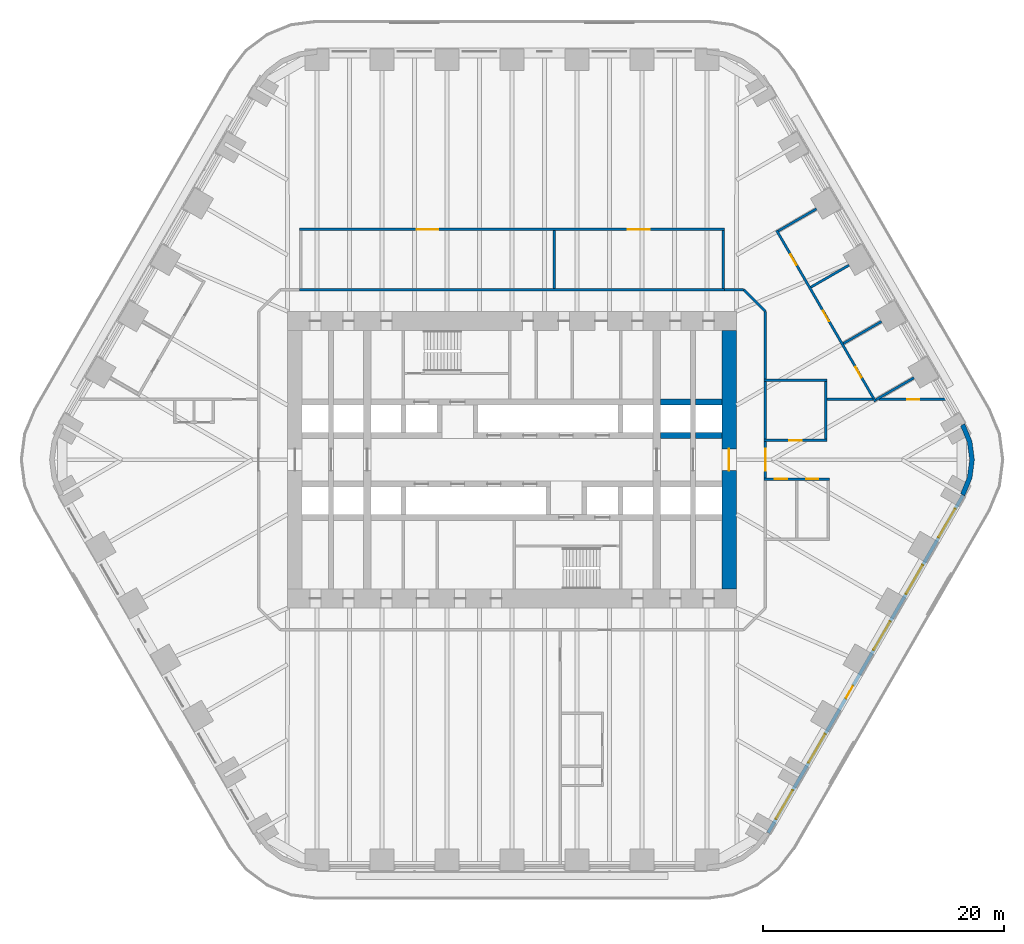
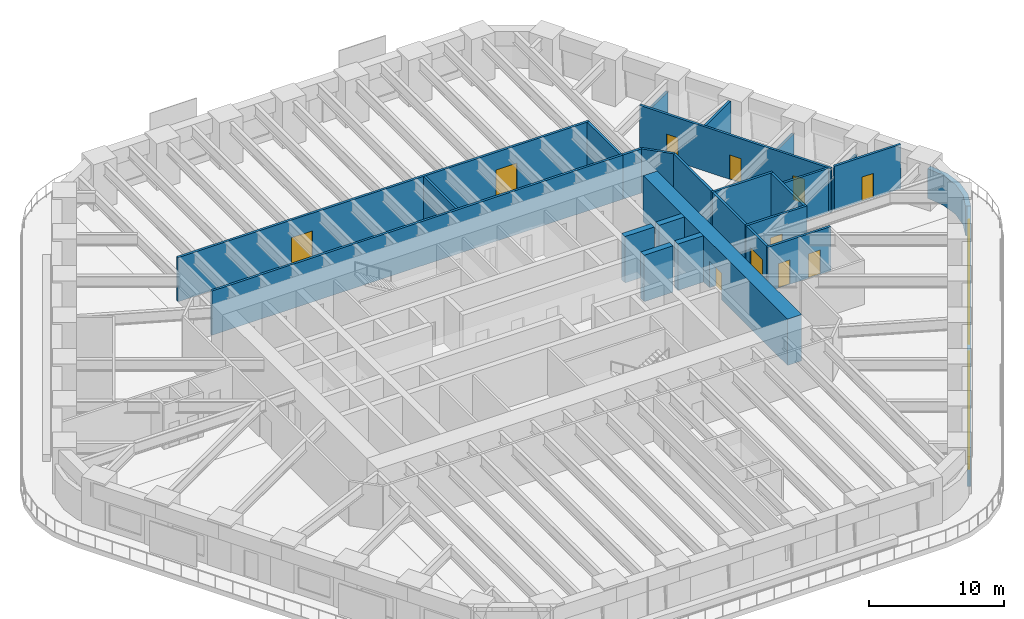
# One storey, part 19 of 23: 27 walls, 12 doors, 5 windows, 17 openings.
"""IFC4 building model written with IfcOpenShell, lengths in metres."""

from ifc_helpers import new_model, si_unit, direction, frame, frame_2d, origin, place, context, subcontext, project, spatial, polyline, rectangle, outline, extrude, material, layer, layer_set, type_object, element, fill, save


model = new_model("IFC4")

# Units and contexts
model_context = context("Model", 3, precision=1e-05, world=origin(), true_north=direction((0.0, 1.0)))
body_context = subcontext(model_context, "Body", "Model", "MODEL_VIEW")
ifc_project = project(units=[si_unit("LENGTHUNIT", "METRE"), si_unit("AREAUNIT", "SQUARE_METRE"), si_unit("VOLUMEUNIT", "CUBIC_METRE"), si_unit("PLANEANGLEUNIT", "RADIAN"), si_unit("MASSUNIT", "GRAM", prefix="KILO")], contexts=[model_context])

# Site, building, storey
site_placement = place(None, origin())
site = spatial("IfcSite", under=ifc_project, at=site_placement, CompositionType="ELEMENT")
building_placement = place(site_placement, origin())
building = spatial("IfcBuilding", under=site, at=building_placement, Name="Tarfa Lantern Tower", CompositionType="ELEMENT")
storey_placement = place(building_placement, frame((0.0, 0.0, 44.5)))
storey = spatial("IfcBuildingStorey", under=building, at=storey_placement, Name="L09", CompositionType="ELEMENT", Elevation=44.5)

# Wall, openings, door, windows
ifc_material_1 = material(Name="Limestone cladding on blockwork", Category="masonry")
ifc_layer_1 = layer(ifc_material_1, 0.300048828125)
ifc_layer_set_1 = layer_set([ifc_layer_1], Name="EW1 STONE-CLAD WALL 300")
wall_type_1 = type_object("IfcWallType", Name="EW1 STONE-CLAD WALL 300", PredefinedType="SOLIDWALL", material=ifc_layer_set_1)
wall_1_placement = place(storey_placement, frame((21.232177734375, -30.925048828125, 0.0), z_axis=(0.0, 0.0, 1.0), x_axis=(0.499999163675, 0.866025886636, 0.0)))
wall_1 = element("IfcWall", 1, at=wall_1_placement, inside=storey, type_object=wall_type_1, Name="Stone wall SE", PredefinedType="SOLIDWALL", context=body_context, shape_type="SweptSolid", body=[
    extrude(rectangle(XDim=32.33154296875, YDim=0.300048828125, at=frame_2d((16.165771484375, 0.0))), origin(), (0.0, 0.0, 1.0), 2.699951171875),
])
opening_1_placement = place(wall_1_placement, frame((1.3193359375, 0.0, 0.60009765625)))
opening_1 = element("IfcOpeningElement", 2, at=opening_1_placement, cuts=wall_1, Name="Opening W2", PredefinedType="OPENING", context=body_context, shape_type="SweptSolid", body=[
    extrude(rectangle(XDim=2.75, YDim=1.85009765625, at=frame_2d((1.375, 0.925048828125))), frame((0.0, 0.159912109375, 0.0), z_axis=(0.0, -1.0, 0.0), x_axis=(1.0, 0.0, 0.0)), (0.0, 0.0, 1.0), 0.320068359375),
])
opening_2_placement = place(wall_1_placement, frame((6.7080078125, 0.0, 0.60009765625)))
opening_2 = element("IfcOpeningElement", 3, at=opening_2_placement, cuts=wall_1, Name="Opening W2", PredefinedType="OPENING", context=body_context, shape_type="SweptSolid", body=[
    extrude(rectangle(XDim=2.75, YDim=1.85009765625, at=frame_2d((1.375, 0.925048828125))), frame((0.0, 0.159912109375, 0.0), z_axis=(0.0, -1.0, 0.0), x_axis=(1.0, 0.0, 0.0)), (0.0, 0.0, 1.0), 0.320068359375),
])
opening_3_placement = place(wall_1_placement, frame((12.87158203125, 0.0, 0.0)))
opening_3 = element("IfcOpeningElement", 4, at=opening_3_placement, cuts=wall_1, Name="Opening D50", PredefinedType="OPENING", context=body_context, shape_type="SweptSolid", body=[
    extrude(rectangle(XDim=1.199951171875, YDim=2.39990234375, at=frame_2d((0.60009765625, 1.199951171875))), frame((0.0, 0.159912109375, 0.0), z_axis=(0.0, -1.0, 0.0), x_axis=(1.0, 0.0, 0.0)), (0.0, 0.0, 1.0), 0.320068359375),
])
opening_4_placement = place(wall_1_placement, frame((17.485107421875, 0.0, 0.60009765625)))
opening_4 = element("IfcOpeningElement", 5, at=opening_4_placement, cuts=wall_1, Name="Opening W2", PredefinedType="OPENING", context=body_context, shape_type="SweptSolid", body=[
    extrude(rectangle(XDim=2.75, YDim=1.85009765625, at=frame_2d((1.375, 0.925048828125))), frame((0.0, 0.159912109375, 0.0), z_axis=(0.0, -1.0, 0.0), x_axis=(1.0, 0.0, 0.0)), (0.0, 0.0, 1.0), 0.320068359375),
])
opening_5_placement = place(wall_1_placement, frame((22.873779296875, 0.0, 0.60009765625)))
opening_5 = element("IfcOpeningElement", 6, at=opening_5_placement, cuts=wall_1, Name="Opening W2", PredefinedType="OPENING", context=body_context, shape_type="SweptSolid", body=[
    extrude(rectangle(XDim=2.75, YDim=1.85009765625, at=frame_2d((1.375, 0.925048828125))), frame((0.0, 0.159912109375, 0.0), z_axis=(0.0, -1.0, 0.0), x_axis=(1.0, 0.0, 0.0)), (0.0, 0.0, 1.0), 0.320068359375),
])
opening_6_placement = place(wall_1_placement, frame((28.26220703125, 0.0, 0.60009765625)))
opening_6 = element("IfcOpeningElement", 7, at=opening_6_placement, cuts=wall_1, Name="Opening W2", PredefinedType="OPENING", context=body_context, shape_type="SweptSolid", body=[
    extrude(rectangle(XDim=2.75, YDim=1.85009765625, at=frame_2d((1.375, 0.925048828125))), frame((0.0, 0.159912109375, 0.0), z_axis=(0.0, -1.0, 0.0), x_axis=(1.0, 0.0, 0.0)), (0.0, 0.0, 1.0), 0.320068359375),
])
ifc_material_2 = material(Name="Aluminium framed glazed door", Category="aluminium")
door_type_1 = type_object("IfcDoorType", Name="BE3 BALCONY DOOR 1200x2400", OperationType="SINGLE_SWING_RIGHT", PredefinedType="DOOR", material=ifc_material_2)
door_1_placement = place(opening_3_placement, origin())
door_1 = element("IfcDoor", 8, at=door_1_placement, inside=storey, type_object=door_type_1, Name="Balcony door SE", OperationType="SINGLE_SWING_RIGHT", OverallHeight=2.39990234375, OverallWidth=1.199951171875, PredefinedType="DOOR", context=body_context, shape_type="SweptSolid", body=[
    extrude(rectangle(XDim=1.199951171875, YDim=2.39990234375, at=frame_2d((0.60009765625, 1.199951171875))), frame((0.0, 0.02490234375, 0.0), z_axis=(0.0, -1.0, 0.0), x_axis=(1.0, 0.0, 0.0)), (0.0, 0.0, 1.0), 0.050048828125),
])
fill(opening_3, door_1)
ifc_material_3 = material(Name="Aluminium frame, double glazed", Category="aluminium")
window_type = type_object("IfcWindowType", Name="W2 FULL-HEIGHT GLAZING 2750x1850", PartitioningType="SINGLE_PANEL", PredefinedType="WINDOW", material=ifc_material_3)
window_1_placement = place(opening_1_placement, origin())
window_1 = element("IfcWindow", 9, at=window_1_placement, inside=storey, type_object=window_type, Name="Window SE 1", OverallHeight=1.85009765625, OverallWidth=2.75, PartitioningType="SINGLE_PANEL", PredefinedType="WINDOW", context=body_context, shape_type="SweptSolid", body=[
    extrude(rectangle(XDim=2.75, YDim=1.85009765625, at=frame_2d((1.375, 0.925048828125))), frame((0.0, 0.030029296875, 0.0), z_axis=(0.0, -1.0, 0.0), x_axis=(1.0, 0.0, 0.0)), (0.0, 0.0, 1.0), 0.06005859375),
])
fill(opening_1, window_1)
window_2_placement = place(opening_2_placement, origin())
window_2 = element("IfcWindow", 10, at=window_2_placement, inside=storey, type_object=window_type, Name="Window SE 2", OverallHeight=1.85009765625, OverallWidth=2.75, PartitioningType="SINGLE_PANEL", PredefinedType="WINDOW", context=body_context, shape_type="SweptSolid", body=[
    extrude(rectangle(XDim=2.75, YDim=1.85009765625, at=frame_2d((1.375, 0.925048828125))), frame((0.0, 0.030029296875, 0.0), z_axis=(0.0, -1.0, 0.0), x_axis=(1.0, 0.0, 0.0)), (0.0, 0.0, 1.0), 0.06005859375),
])
fill(opening_2, window_2)
window_3_placement = place(opening_4_placement, origin())
window_3 = element("IfcWindow", 11, at=window_3_placement, inside=storey, type_object=window_type, Name="Window SE 4", OverallHeight=1.85009765625, OverallWidth=2.75, PartitioningType="SINGLE_PANEL", PredefinedType="WINDOW", context=body_context, shape_type="SweptSolid", body=[
    extrude(rectangle(XDim=2.75, YDim=1.85009765625, at=frame_2d((1.375, 0.925048828125))), frame((0.0, 0.030029296875, 0.0), z_axis=(0.0, -1.0, 0.0), x_axis=(1.0, 0.0, 0.0)), (0.0, 0.0, 1.0), 0.06005859375),
])
fill(opening_4, window_3)
window_4_placement = place(opening_5_placement, origin())
window_4 = element("IfcWindow", 12, at=window_4_placement, inside=storey, type_object=window_type, Name="Window SE 5", OverallHeight=1.85009765625, OverallWidth=2.75, PartitioningType="SINGLE_PANEL", PredefinedType="WINDOW", context=body_context, shape_type="SweptSolid", body=[
    extrude(rectangle(XDim=2.75, YDim=1.85009765625, at=frame_2d((1.375, 0.925048828125))), frame((0.0, 0.030029296875, 0.0), z_axis=(0.0, -1.0, 0.0), x_axis=(1.0, 0.0, 0.0)), (0.0, 0.0, 1.0), 0.06005859375),
])
fill(opening_5, window_4)
window_5_placement = place(opening_6_placement, origin())
window_5 = element("IfcWindow", 13, at=window_5_placement, inside=storey, type_object=window_type, Name="Window SE 6", OverallHeight=1.85009765625, OverallWidth=2.75, PartitioningType="SINGLE_PANEL", PredefinedType="WINDOW", context=body_context, shape_type="SweptSolid", body=[
    extrude(rectangle(XDim=2.75, YDim=1.85009765625, at=frame_2d((1.375, 0.925048828125))), frame((0.0, 0.030029296875, 0.0), z_axis=(0.0, -1.0, 0.0), x_axis=(1.0, 0.0, 0.0)), (0.0, 0.0, 1.0), 0.06005859375),
])
fill(opening_6, window_5)

# Walls
ifc_layer_2 = layer(ifc_material_1, 0.39990234375)
ifc_layer_set_2 = layer_set([ifc_layer_2], Name="EW2 CURVED STONE CORNER 400")
wall_type_2 = type_object("IfcWallType", Name="EW2 CURVED STONE CORNER 400", PredefinedType="SOLIDWALL", material=ifc_layer_set_2)
wall_2_placement = place(storey_placement, origin())
element("IfcWall", 14, at=wall_2_placement, inside=storey, type_object=wall_type_2, Name="Stone corner SE-NE", PredefinedType="SOLIDWALL", context=body_context, shape_type="SweptSolid", body=[
    extrude(outline(polyline([(37.52783203125, -3.0), (38.127197265625, -1.552978515625), (38.33154296875, 0.0), (38.127197265625, 1.552978515625), (37.52783203125, 3.0), (37.181396484375, 2.800048828125), (37.74072265625, 1.449462890625), (37.931640625, 0.0), (37.74072265625, -1.449462890625), (37.181396484375, -2.800048828125), (37.52783203125, -3.0)])), origin(), (0.0, 0.0, 1.0), 2.699951171875),
])
ifc_material_4 = material(Name="Gypsum board on steel studs", Category="steel")
ifc_layer_3 = layer(ifc_material_4, 0.2099609375)
ifc_layer_set_3 = layer_set([ifc_layer_3], Name="IW2 ACOUSTIC PARTITION 200")
wall_type_3 = type_object("IfcWallType", Name="IW2 ACOUSTIC PARTITION 200", PredefinedType="PARTITIONING", material=ifc_layer_set_3)
wall_3_placement = place(storey_placement, frame((-17.60009765625, 14.10009765625, 0.0), z_axis=(0.0, 0.0, 1.0), x_axis=(1.0, 0.0, 0.0)))
element("IfcWall", 15, at=wall_3_placement, inside=storey, type_object=wall_type_3, Name="Partition", PredefinedType="PARTITIONING", context=body_context, shape_type="SweptSolid", body=[
    extrude(rectangle(XDim=35.2001953125, YDim=0.199951171875, at=frame_2d((17.60009765625, 0.0))), origin(), (0.0, 0.0, 1.0), 4.0),
])

# Wall, openings, doors
wall_4_placement = place(storey_placement, frame((-17.60009765625, 19.10009765625, 0.0), z_axis=(0.0, 0.0, 1.0), x_axis=(1.0, 0.0, 0.0)))
wall_4 = element("IfcWall", 16, at=wall_4_placement, inside=storey, type_object=wall_type_3, Name="Partition", PredefinedType="PARTITIONING", context=body_context, shape_type="SweptSolid", body=[
    extrude(rectangle(XDim=35.2001953125, YDim=0.199951171875, at=frame_2d((17.60009765625, 0.0))), origin(), (0.0, 0.0, 1.0), 4.0),
])
opening_7_placement = place(wall_4_placement, frame((9.699951171875, 0.0, 0.0)))
opening_7 = element("IfcOpeningElement", 17, at=opening_7_placement, cuts=wall_4, Name="Opening D37", PredefinedType="OPENING", context=body_context, shape_type="SweptSolid", body=[
    extrude(rectangle(XDim=1.800048828125, YDim=2.39990234375, at=frame_2d((0.89990234375, 1.199951171875))), frame((0.0, 0.10986328125, 0.0), z_axis=(0.0, -1.0, 0.0), x_axis=(1.0, 0.0, 0.0)), (0.0, 0.0, 1.0), 0.219970703125),
])
opening_8_placement = place(wall_4_placement, frame((27.199951171875, 0.0, 0.0)))
opening_8 = element("IfcOpeningElement", 18, at=opening_8_placement, cuts=wall_4, Name="Opening D38", PredefinedType="OPENING", context=body_context, shape_type="SweptSolid", body=[
    extrude(rectangle(XDim=1.800048828125, YDim=2.39990234375, at=frame_2d((0.89990234375, 1.199951171875))), frame((0.0, 0.10986328125, 0.0), z_axis=(0.0, -1.0, 0.0), x_axis=(1.0, 0.0, 0.0)), (0.0, 0.0, 1.0), 0.219970703125),
])
ifc_material_5 = material(Name="Timber door", Category="wood")
door_type_2 = type_object("IfcDoorType", Name="DR2 ROOM DOOR 1800x2400", OperationType="DOUBLE_DOOR_SINGLE_SWING", PredefinedType="DOOR", material=ifc_material_5)
door_2_placement = place(opening_7_placement, frame((1.800048828125, 0.0, 0.0), z_axis=(0.0, 0.0, 1.0), x_axis=(-1.0, 0.0, 0.0)))
door_2 = element("IfcDoor", 19, at=door_2_placement, inside=storey, type_object=door_type_2, Name="Device lab door", OperationType="DOUBLE_DOOR_SINGLE_SWING", OverallHeight=2.39990234375, OverallWidth=1.800048828125, PredefinedType="DOOR", context=body_context, shape_type="SweptSolid", body=[
    extrude(rectangle(XDim=1.800048828125, YDim=2.39990234375, at=frame_2d((0.89990234375, 1.199951171875))), frame((0.0, 0.02490234375, 0.0), z_axis=(0.0, -1.0, 0.0), x_axis=(1.0, 0.0, 0.0)), (0.0, 0.0, 1.0), 0.050048828125),
])
fill(opening_7, door_2)
door_3_placement = place(opening_8_placement, frame((1.800048828125, 0.0, 0.0), z_axis=(0.0, 0.0, 1.0), x_axis=(-1.0, 0.0, 0.0)))
door_3 = element("IfcDoor", 20, at=door_3_placement, inside=storey, type_object=door_type_2, Name="Communications room door", OperationType="DOUBLE_DOOR_SINGLE_SWING", OverallHeight=2.39990234375, OverallWidth=1.800048828125, PredefinedType="DOOR", context=body_context, shape_type="SweptSolid", body=[
    extrude(rectangle(XDim=1.800048828125, YDim=2.39990234375, at=frame_2d((0.89990234375, 1.199951171875))), frame((0.0, 0.02490234375, 0.0), z_axis=(0.0, -1.0, 0.0), x_axis=(1.0, 0.0, 0.0)), (0.0, 0.0, 1.0), 0.050048828125),
])
fill(opening_8, door_3)

# Walls
for number, where, z_axis, x_axis, name in (
    (21, (3.5, 14.199951171875, 0.0), (0.0, 0.0, 1.0), (0.0, 1.0, 0.0), "Partition"),
    (22, (17.5, 14.199951171875, 0.0), (0.0, 0.0, 1.0), (0.0, 1.0, 0.0), "Partition"),
):
    element("IfcWall", number, at=place(storey_placement, frame(where, z_axis=z_axis, x_axis=x_axis)), inside=storey, type_object=wall_type_3, Name=name, PredefinedType="PARTITIONING", context=body_context, shape_type="SweptSolid", body=[
        extrude(rectangle(XDim=4.800048828125, YDim=0.199951171875, at=frame_2d((2.39990234375, 0.0))), origin(), (0.0, 0.0, 1.0), 4.0),
    ])

# Wall, openings, doors
wall_5_placement = place(storey_placement, frame((30.120361328125, 4.830078125, 0.0), z_axis=(0.0, 0.0, 1.0), x_axis=(-0.500000949028, 0.866024855862, 0.0)))
wall_5 = element("IfcWall", 23, at=wall_5_placement, inside=storey, type_object=wall_type_3, Name="Partition", PredefinedType="PARTITIONING", context=body_context, shape_type="SweptSolid", body=[
    extrude(rectangle(XDim=16.36572265625, YDim=0.199951171875, at=frame_2d((8.182861328125, 0.0))), origin(), (0.0, 0.0, 1.0), 4.0),
])
opening_9_placement = place(wall_5_placement, frame((2.294189453125, 0.0, 0.0)))
opening_9 = element("IfcOpeningElement", 24, at=opening_9_placement, cuts=wall_5, Name="Opening D32", PredefinedType="OPENING", context=body_context, shape_type="SweptSolid", body=[
    extrude(rectangle(XDim=1.0, YDim=2.199951171875, at=frame_2d((0.5, 1.10009765625))), frame((0.0, 0.10986328125, 0.0), z_axis=(0.0, -1.0, 0.0), x_axis=(1.0, 0.0, 0.0)), (0.0, 0.0, 1.0), 0.219970703125),
])
opening_10_placement = place(wall_5_placement, frame((7.682861328125, 0.0, 0.0)))
opening_10 = element("IfcOpeningElement", 25, at=opening_10_placement, cuts=wall_5, Name="Opening D33", PredefinedType="OPENING", context=body_context, shape_type="SweptSolid", body=[
    extrude(rectangle(XDim=1.0, YDim=2.199951171875, at=frame_2d((0.5, 1.10009765625))), frame((0.0, 0.10986328125, 0.0), z_axis=(0.0, -1.0, 0.0), x_axis=(1.0, 0.0, 0.0)), (0.0, 0.0, 1.0), 0.219970703125),
])
opening_11_placement = place(wall_5_placement, frame((13.071533203125, 0.0, 0.0)))
opening_11 = element("IfcOpeningElement", 26, at=opening_11_placement, cuts=wall_5, Name="Opening D34", PredefinedType="OPENING", context=body_context, shape_type="SweptSolid", body=[
    extrude(rectangle(XDim=1.0, YDim=2.199951171875, at=frame_2d((0.5, 1.10009765625))), frame((0.0, 0.10986328125, 0.0), z_axis=(0.0, -1.0, 0.0), x_axis=(1.0, 0.0, 0.0)), (0.0, 0.0, 1.0), 0.219970703125),
])
door_type_3 = type_object("IfcDoorType", Name="DR1 ROOM DOOR 1000x2200", OperationType="SINGLE_SWING_LEFT", PredefinedType="DOOR", material=ifc_material_5)
door_4_placement = place(opening_9_placement, frame((1.0, 0.0, 0.0), z_axis=(0.0, 0.0, 1.0), x_axis=(-1.0, 0.0, 0.0)))
door_4 = element("IfcDoor", 27, at=door_4_placement, inside=storey, type_object=door_type_3, Name="Scrum room door", OperationType="SINGLE_SWING_LEFT", OverallHeight=2.199951171875, OverallWidth=1.0, PredefinedType="DOOR", context=body_context, shape_type="SweptSolid", body=[
    extrude(rectangle(XDim=1.0, YDim=2.199951171875, at=frame_2d((0.5, 1.10009765625))), frame((0.0, 0.02490234375, 0.0), z_axis=(0.0, -1.0, 0.0), x_axis=(1.0, 0.0, 0.0)), (0.0, 0.0, 1.0), 0.050048828125),
])
fill(opening_9, door_4)
door_5_placement = place(opening_10_placement, frame((1.0, 0.0, 0.0), z_axis=(0.0, 0.0, 1.0), x_axis=(-1.0, 0.0, 0.0)))
door_5 = element("IfcDoor", 28, at=door_5_placement, inside=storey, type_object=door_type_3, Name="Scrum room door", OperationType="SINGLE_SWING_RIGHT", OverallHeight=2.199951171875, OverallWidth=1.0, PredefinedType="DOOR", context=body_context, shape_type="SweptSolid", body=[
    extrude(rectangle(XDim=1.0, YDim=2.199951171875, at=frame_2d((0.5, 1.10009765625))), frame((0.0, 0.02490234375, 0.0), z_axis=(0.0, -1.0, 0.0), x_axis=(1.0, 0.0, 0.0)), (0.0, 0.0, 1.0), 0.050048828125),
])
fill(opening_10, door_5)
door_6_placement = place(opening_11_placement, frame((1.0, 0.0, 0.0), z_axis=(0.0, 0.0, 1.0), x_axis=(-1.0, 0.0, 0.0)))
door_6 = element("IfcDoor", 29, at=door_6_placement, inside=storey, type_object=door_type_3, Name="Scrum room door", OperationType="SINGLE_SWING_RIGHT", OverallHeight=2.199951171875, OverallWidth=1.0, PredefinedType="DOOR", context=body_context, shape_type="SweptSolid", body=[
    extrude(rectangle(XDim=1.0, YDim=2.199951171875, at=frame_2d((0.5, 1.10009765625))), frame((0.0, 0.02490234375, 0.0), z_axis=(0.0, -1.0, 0.0), x_axis=(1.0, 0.0, 0.0)), (0.0, 0.0, 1.0), 0.050048828125),
])
fill(opening_11, door_6)

# Walls
for number, where, z_axis, x_axis, name in (
    (30, (30.156982421875, 4.966552734375, 0.0), (0.0, 0.0, 1.0), (0.865995104784, 0.500052475737, 0.0), "Partition"),
    (31, (27.462646484375, 9.63330078125, 0.0), (0.0, 0.0, 1.0), (0.866024069551, 0.500002310952, 0.0), "Partition"),
):
    element("IfcWall", number, at=place(storey_placement, frame(where, z_axis=z_axis, x_axis=x_axis)), inside=storey, type_object=wall_type_3, Name=name, PredefinedType="PARTITIONING", context=body_context, shape_type="SweptSolid", body=[
        extrude(rectangle(XDim=3.64990234375, YDim=0.199951171875, at=frame_2d((1.824951171875, 0.0))), origin(), (0.0, 0.0, 1.0), 2.944091796875),
    ])
wall_6_placement = place(storey_placement, frame((24.768310546875, 14.300048828125, 0.0), z_axis=(0.0, 0.0, 1.0), x_axis=(0.866024069551, 0.500002310952, 0.0)))
element("IfcWall", 32, at=wall_6_placement, inside=storey, type_object=wall_type_3, Name="Partition", PredefinedType="PARTITIONING", context=body_context, shape_type="SweptSolid", body=[
    extrude(rectangle(XDim=3.64990234375, YDim=0.199951171875, at=frame_2d((1.824951171875, 0.0))), origin(), (0.0, 0.0, 1.0), 4.0),
])
wall_7_placement = place(storey_placement, frame((22.073974609375, 18.966552734375, 0.0), z_axis=(0.0, 0.0, 1.0), x_axis=(0.866011828767, 0.500023511883, 0.0)))
element("IfcWall", 33, at=wall_7_placement, inside=storey, type_object=wall_type_3, Name="Partition", PredefinedType="PARTITIONING", context=body_context, shape_type="SweptSolid", body=[
    extrude(rectangle(XDim=3.650146484375, YDim=0.199951171875, at=frame_2d((1.8251953125, 0.0))), origin(), (0.0, 0.0, 1.0), 2.991943359375),
])

# Wall, opening, door
wall_8_placement = place(storey_placement, frame((20.89990234375, 1.60009765625, 0.0), z_axis=(0.0, 0.0, 1.0), x_axis=(1.0, 0.0, 0.0)))
wall_8 = element("IfcWall", 34, at=wall_8_placement, inside=storey, type_object=wall_type_3, Name="Partition", PredefinedType="PARTITIONING", context=body_context, shape_type="SweptSolid", body=[
    extrude(rectangle(XDim=5.2001953125, YDim=0.199951171875, at=frame_2d((2.60009765625, 0.0))), origin(), (0.0, 0.0, 1.0), 4.0),
])
opening_12_placement = place(wall_8_placement, frame((2.10009765625, 0.0, 0.0)))
opening_12 = element("IfcOpeningElement", 35, at=opening_12_placement, cuts=wall_8, Name="Opening D29", PredefinedType="OPENING", context=body_context, shape_type="SweptSolid", body=[
    extrude(rectangle(XDim=1.0, YDim=2.199951171875, at=frame_2d((0.5, 1.10009765625))), frame((0.0, 0.10986328125, 0.0), z_axis=(0.0, -1.0, 0.0), x_axis=(1.0, 0.0, 0.0)), (0.0, 0.0, 1.0), 0.219970703125),
])
door_7_placement = place(opening_12_placement, origin())
door_7 = element("IfcDoor", 36, at=door_7_placement, inside=storey, type_object=door_type_3, Name="Pantry door", OperationType="SINGLE_SWING_RIGHT", OverallHeight=2.199951171875, OverallWidth=1.0, PredefinedType="DOOR", context=body_context, shape_type="SweptSolid", body=[
    extrude(rectangle(XDim=1.0, YDim=2.199951171875, at=frame_2d((0.5, 1.10009765625))), frame((0.0, 0.02490234375, 0.0), z_axis=(0.0, -1.0, 0.0), x_axis=(1.0, 0.0, 0.0)), (0.0, 0.0, 1.0), 0.050048828125),
])
fill(opening_12, door_7)

# Walls
wall_9_placement = place(storey_placement, frame((20.89990234375, 6.60009765625, 0.0), z_axis=(0.0, 0.0, 1.0), x_axis=(1.0, 0.0, 0.0)))
element("IfcWall", 37, at=wall_9_placement, inside=storey, type_object=wall_type_3, Name="Partition", PredefinedType="PARTITIONING", context=body_context, shape_type="SweptSolid", body=[
    extrude(rectangle(XDim=5.2001953125, YDim=0.199951171875, at=frame_2d((2.60009765625, 0.0))), origin(), (0.0, 0.0, 1.0), 4.0),
])
for number, where, z_axis, x_axis, name in (
    (38, (21.0, 1.699951171875, 0.0), (0.0, 0.0, 1.0), (0.0, 1.0, 0.0), "Partition"),
    (39, (26.0, 1.699951171875, 0.0), (0.0, 0.0, 1.0), (0.0, 1.0, 0.0), "Partition"),
):
    element("IfcWall", number, at=place(storey_placement, frame(where, z_axis=z_axis, x_axis=x_axis)), inside=storey, type_object=wall_type_3, Name=name, PredefinedType="PARTITIONING", context=body_context, shape_type="SweptSolid", body=[
        extrude(rectangle(XDim=4.800048828125, YDim=0.199951171875, at=frame_2d((2.39990234375, 0.0))), origin(), (0.0, 0.0, 1.0), 4.0),
    ])

# Wall, openings, doors
wall_10_placement = place(storey_placement, frame((20.89990234375, -1.60009765625, 0.0), z_axis=(0.0, 0.0, 1.0), x_axis=(1.0, 0.0, 0.0)))
wall_10 = element("IfcWall", 40, at=wall_10_placement, inside=storey, type_object=wall_type_3, Name="Partition", PredefinedType="PARTITIONING", context=body_context, shape_type="SweptSolid", body=[
    extrude(rectangle(XDim=5.400146484375, YDim=0.199951171875, at=frame_2d((2.7001953125, 0.0))), origin(), (0.0, 0.0, 1.0), 4.0),
])
opening_13_placement = place(wall_10_placement, frame((0.89990234375, 0.0, 0.0)))
opening_13 = element("IfcOpeningElement", 41, at=opening_13_placement, cuts=wall_10, Name="Opening D30", PredefinedType="OPENING", context=body_context, shape_type="SweptSolid", body=[
    extrude(rectangle(XDim=1.0, YDim=2.199951171875, at=frame_2d((0.5, 1.10009765625))), frame((0.0, 0.10986328125, 0.0), z_axis=(0.0, -1.0, 0.0), x_axis=(1.0, 0.0, 0.0)), (0.0, 0.0, 1.0), 0.219970703125),
])
opening_14_placement = place(wall_10_placement, frame((3.5, 0.0, 0.0)))
opening_14 = element("IfcOpeningElement", 42, at=opening_14_placement, cuts=wall_10, Name="Opening D31", PredefinedType="OPENING", context=body_context, shape_type="SweptSolid", body=[
    extrude(rectangle(XDim=1.0, YDim=2.199951171875, at=frame_2d((0.5, 1.10009765625))), frame((0.0, 0.10986328125, 0.0), z_axis=(0.0, -1.0, 0.0), x_axis=(1.0, 0.0, 0.0)), (0.0, 0.0, 1.0), 0.219970703125),
])
door_8_placement = place(opening_13_placement, frame((1.0, 0.0, 0.0), z_axis=(0.0, 0.0, 1.0), x_axis=(-1.0, 0.0, 0.0)))
door_8 = element("IfcDoor", 43, at=door_8_placement, inside=storey, type_object=door_type_3, Name="Focus room door", OperationType="SINGLE_SWING_LEFT", OverallHeight=2.199951171875, OverallWidth=1.0, PredefinedType="DOOR", context=body_context, shape_type="SweptSolid", body=[
    extrude(rectangle(XDim=1.0, YDim=2.199951171875, at=frame_2d((0.5, 1.10009765625))), frame((0.0, 0.02490234375, 0.0), z_axis=(0.0, -1.0, 0.0), x_axis=(1.0, 0.0, 0.0)), (0.0, 0.0, 1.0), 0.050048828125),
])
fill(opening_13, door_8)
door_9_placement = place(opening_14_placement, frame((1.0, 0.0, 0.0), z_axis=(0.0, 0.0, 1.0), x_axis=(-1.0, 0.0, 0.0)))
door_9 = element("IfcDoor", 44, at=door_9_placement, inside=storey, type_object=door_type_3, Name="Focus room door", OperationType="SINGLE_SWING_RIGHT", OverallHeight=2.199951171875, OverallWidth=1.0, PredefinedType="DOOR", context=body_context, shape_type="SweptSolid", body=[
    extrude(rectangle(XDim=1.0, YDim=2.199951171875, at=frame_2d((0.5, 1.10009765625))), frame((0.0, 0.02490234375, 0.0), z_axis=(0.0, -1.0, 0.0), x_axis=(1.0, 0.0, 0.0)), (0.0, 0.0, 1.0), 0.050048828125),
])
fill(opening_14, door_9)

# Walls
wall_11_placement = place(storey_placement, frame((17.60009765625, 14.10009765625, 0.0), z_axis=(0.0, 0.0, 1.0), x_axis=(1.0, 0.0, 0.0)))
element("IfcWall", 45, at=wall_11_placement, inside=storey, type_object=wall_type_3, Name="Partition", PredefinedType="PARTITIONING", context=body_context, shape_type="SweptSolid", body=[
    extrude(rectangle(XDim=1.599853515625, YDim=0.199951171875, at=frame_2d((0.7998046875, 0.0))), origin(), (0.0, 0.0, 1.0), 4.0),
])
wall_12_placement = place(storey_placement, frame((19.199951171875, 14.10009765625, 0.0), z_axis=(0.0, 0.0, 1.0), x_axis=(0.707106781187, -0.707106781187, 0.0)))
element("IfcWall", 46, at=wall_12_placement, inside=storey, type_object=wall_type_3, Name="Partition", PredefinedType="PARTITIONING", context=body_context, shape_type="SweptSolid", body=[
    extrude(rectangle(XDim=2.545654296875, YDim=0.199951171875, at=frame_2d((1.27294921875, 0.0))), origin(), (0.0, 0.0, 1.0), 4.0),
])

# Wall, opening, door
wall_13_placement = place(storey_placement, frame((21.0, 1.4990234375, 0.0), z_axis=(0.0, 0.0, 1.0), x_axis=(0.0, -1.0, 0.0)))
wall_13 = element("IfcWall", 47, at=wall_13_placement, inside=storey, type_object=wall_type_3, Name="Partition", PredefinedType="PARTITIONING", context=body_context, shape_type="SweptSolid", body=[
    extrude(rectangle(XDim=2.998046875, YDim=0.199951171875, at=frame_2d((1.4990234375, 0.0))), origin(), (0.0, 0.0, 1.0), 4.0),
])
opening_15_placement = place(wall_13_placement, frame((0.59912109375, 0.0, 0.0)))
opening_15 = element("IfcOpeningElement", 48, at=opening_15_placement, cuts=wall_13, Name="Opening D43", PredefinedType="OPENING", context=body_context, shape_type="SweptSolid", body=[
    extrude(rectangle(XDim=1.800048828125, YDim=2.39990234375, at=frame_2d((0.89990234375, 1.199951171875))), frame((0.0, 0.10986328125, 0.0), z_axis=(0.0, -1.0, 0.0), x_axis=(1.0, 0.0, 0.0)), (0.0, 0.0, 1.0), 0.219970703125),
])
door_10_placement = place(opening_15_placement, origin())
door_10 = element("IfcDoor", 49, at=door_10_placement, inside=storey, type_object=door_type_2, Name="Corridor door", OperationType="DOUBLE_DOOR_SINGLE_SWING", OverallHeight=2.39990234375, OverallWidth=1.800048828125, PredefinedType="DOOR", context=body_context, shape_type="SweptSolid", body=[
    extrude(rectangle(XDim=1.800048828125, YDim=2.39990234375, at=frame_2d((0.89990234375, 1.199951171875))), frame((0.0, 0.02490234375, 0.0), z_axis=(0.0, -1.0, 0.0), x_axis=(1.0, 0.0, 0.0)), (0.0, 0.0, 1.0), 0.050048828125),
])
fill(opening_15, door_10)

# Walls
wall_14_placement = place(storey_placement, frame((21.0, 12.300048828125, 0.0), z_axis=(0.0, 0.0, 1.0), x_axis=(0.0, -1.0, 0.0)))
element("IfcWall", 50, at=wall_14_placement, inside=storey, type_object=wall_type_3, Name="Partition", PredefinedType="PARTITIONING", context=body_context, shape_type="SweptSolid", body=[
    extrude(rectangle(XDim=5.59912109375, YDim=0.199951171875, at=frame_2d((2.799560546875, 0.0))), origin(), (0.0, 0.0, 1.0), 4.0),
])
wall_15_placement = place(storey_placement, frame((26.10009765625, 5.0, 0.0), z_axis=(0.0, 0.0, 1.0), x_axis=(1.0, 0.0, 0.0)))
element("IfcWall", 51, at=wall_15_placement, inside=storey, type_object=wall_type_3, Name="Partition", PredefinedType="PARTITIONING", context=body_context, shape_type="SweptSolid", body=[
    extrude(rectangle(XDim=3.806640625, YDim=0.199951171875, at=frame_2d((1.9033203125, 0.0))), origin(), (0.0, 0.0, 1.0), 4.0),
])

# Wall, opening, door
wall_16_placement = place(storey_placement, frame((30.41455078125, 5.0, 0.0), z_axis=(0.0, 0.0, 1.0), x_axis=(1.0, 0.0, 0.0)))
wall_16 = element("IfcWall", 52, at=wall_16_placement, inside=storey, type_object=wall_type_3, Name="Partition", PredefinedType="PARTITIONING", context=body_context, shape_type="SweptSolid", body=[
    extrude(rectangle(XDim=5.704345703125, YDim=0.199951171875, at=frame_2d((2.85205078125, 0.0))), origin(), (0.0, 0.0, 1.0), 4.0),
])
opening_16_placement = place(wall_16_placement, frame((2.35205078125, 0.0, 0.0)))
opening_16 = element("IfcOpeningElement", 53, at=opening_16_placement, cuts=wall_16, Name="Opening D46", PredefinedType="OPENING", context=body_context, shape_type="SweptSolid", body=[
    extrude(rectangle(XDim=1.0, YDim=2.199951171875, at=frame_2d((0.5, 1.10009765625))), frame((0.0, 0.10986328125, 0.0), z_axis=(0.0, -1.0, 0.0), x_axis=(1.0, 0.0, 0.0)), (0.0, 0.0, 1.0), 0.219970703125),
])
door_11_placement = place(opening_16_placement, frame((1.0, 0.0, 0.0), z_axis=(0.0, 0.0, 1.0), x_axis=(-1.0, 0.0, 0.0)))
door_11 = element("IfcDoor", 54, at=door_11_placement, inside=storey, type_object=door_type_3, Name="Zone door", OperationType="SINGLE_SWING_RIGHT", OverallHeight=2.199951171875, OverallWidth=1.0, PredefinedType="DOOR", context=body_context, shape_type="SweptSolid", body=[
    extrude(rectangle(XDim=1.0, YDim=2.199951171875, at=frame_2d((0.5, 1.10009765625))), frame((0.0, 0.02490234375, 0.0), z_axis=(0.0, -1.0, 0.0), x_axis=(1.0, 0.0, 0.0)), (0.0, 0.0, 1.0), 0.050048828125),
])
fill(opening_16, door_11)

ifc_material_6 = material(Name="Concrete C80/95", Category="concrete")
ifc_layer_4 = layer(ifc_material_6, 1.199951171875)
ifc_layer_set_4 = layer_set([ifc_layer_4], Name="SW1 CORE WALL 1200")
wall_type_4 = type_object("IfcWallType", Name="SW1 CORE WALL 1200", PredefinedType="SHEAR", material=ifc_layer_set_4)
wall_17_placement = place(storey_placement, frame((18.0, -10.699951171875, 0.0), z_axis=(0.0, 0.0, 1.0), x_axis=(0.0, 1.0, 0.0)))
wall_17 = element("IfcWall", 55, at=wall_17_placement, inside=storey, type_object=wall_type_4, Name="Core wall E", PredefinedType="SHEAR", context=body_context, shape_type="SweptSolid", body=[
    extrude(rectangle(XDim=21.39990234375, YDim=1.199951171875, at=frame_2d((10.699951171875, 0.0))), origin(), (0.0, 0.0, 1.0), 4.199951171875),
])
opening_17_placement = place(wall_17_placement, frame((9.800048828125, 0.0, 0.0)))
opening_17 = element("IfcOpeningElement", 56, at=opening_17_placement, cuts=wall_17, Name="Opening D15", PredefinedType="OPENING", context=body_context, shape_type="SweptSolid", body=[
    extrude(rectangle(XDim=1.800048828125, YDim=2.39990234375, at=frame_2d((0.89990234375, 1.199951171875))), frame((0.0, 0.60986328125, 0.0), z_axis=(0.0, -1.0, 0.0), x_axis=(1.0, 0.0, 0.0)), (0.0, 0.0, 1.0), 1.219970703125),
])
ifc_material_7 = material(Name="Steel fire door", Category="steel")
door_type_4 = type_object("IfcDoorType", Name="DL1 LOBBY DOOR 1800x2400", OperationType="DOUBLE_DOOR_SINGLE_SWING", PredefinedType="DOOR", material=ifc_material_7)
door_12_placement = place(opening_17_placement, frame((1.800048828125, 0.0, 0.0), z_axis=(0.0, 0.0, 1.0), x_axis=(-1.0, 0.0, 0.0)))
door_12 = element("IfcDoor", 57, at=door_12_placement, inside=storey, type_object=door_type_4, Name="Lift lobby door", OperationType="DOUBLE_DOOR_SINGLE_SWING", OverallHeight=2.39990234375, OverallWidth=1.800048828125, PredefinedType="DOOR", context=body_context, shape_type="SweptSolid", body=[
    extrude(rectangle(XDim=1.800048828125, YDim=2.39990234375, at=frame_2d((0.89990234375, 1.199951171875))), frame((0.0, 0.02490234375, 0.0), z_axis=(0.0, -1.0, 0.0), x_axis=(1.0, 0.0, 0.0)), (0.0, 0.0, 1.0), 0.050048828125),
])
fill(opening_17, door_12)

# Walls
ifc_layer_5 = layer(ifc_material_6, 0.5)
ifc_layer_set_5 = layer_set([ifc_layer_5], Name="SW5 CORE WALL 500")
wall_type_5 = type_object("IfcWallType", Name="SW5 CORE WALL 500", PredefinedType="SHEAR", material=ifc_layer_set_5)
wall_18_placement = place(storey_placement, frame((12.300048828125, 2.0, 0.0), z_axis=(0.0, 0.0, 1.0), x_axis=(1.0, 0.0, 0.0)))
element("IfcWall", 58, at=wall_18_placement, inside=storey, type_object=wall_type_5, Name="Core wall lobby east N", PredefinedType="SHEAR", context=body_context, shape_type="SweptSolid", body=[
    extrude(rectangle(XDim=2.5, YDim=0.5, at=frame_2d((1.25, 0.0))), origin(), (0.0, 0.0, 1.0), 4.199951171875),
])
wall_19_placement = place(storey_placement, frame((15.199951171875, 2.0, 0.0), z_axis=(0.0, 0.0, 1.0), x_axis=(1.0, 0.0, 0.0)))
element("IfcWall", 59, at=wall_19_placement, inside=storey, type_object=wall_type_5, Name="Core wall lobby east N", PredefinedType="SHEAR", context=body_context, shape_type="SweptSolid", body=[
    extrude(rectangle(XDim=2.199951171875, YDim=0.5, at=frame_2d((1.10009765625, 0.0))), origin(), (0.0, 0.0, 1.0), 4.199951171875),
])
wall_20_placement = place(storey_placement, frame((12.300048828125, 4.800048828125, 0.0), z_axis=(0.0, 0.0, 1.0), x_axis=(1.0, 0.0, 0.0)))
element("IfcWall", 60, at=wall_20_placement, inside=storey, type_object=wall_type_5, Name="Core wall rear N", PredefinedType="SHEAR", context=body_context, shape_type="SweptSolid", body=[
    extrude(rectangle(XDim=2.5, YDim=0.5, at=frame_2d((1.25, 0.0))), origin(), (0.0, 0.0, 1.0), 4.199951171875),
])
wall_21_placement = place(storey_placement, frame((15.199951171875, 4.800048828125, 0.0), z_axis=(0.0, 0.0, 1.0), x_axis=(1.0, 0.0, 0.0)))
element("IfcWall", 61, at=wall_21_placement, inside=storey, type_object=wall_type_5, Name="Core wall rear N", PredefinedType="SHEAR", context=body_context, shape_type="SweptSolid", body=[
    extrude(rectangle(XDim=2.199951171875, YDim=0.5, at=frame_2d((1.10009765625, 0.0))), origin(), (0.0, 0.0, 1.0), 4.199951171875),
])

save(model, "model.ifc")
